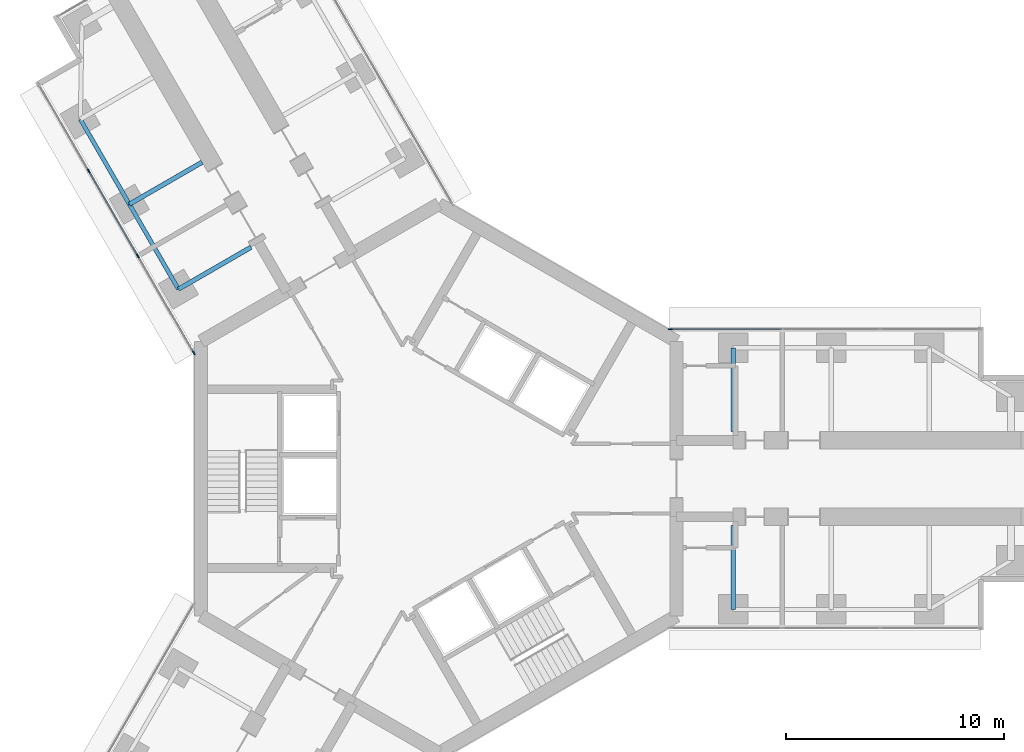
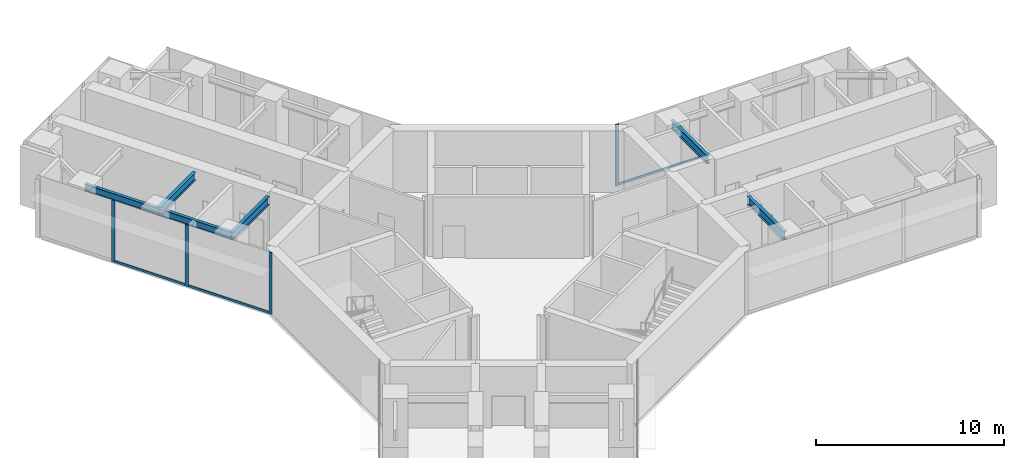
# One storey, part 5 of 21: 7 members, 6 beams, 2 elements without a shape of their own.
"""IFC4 building model written with IfcOpenShell, lengths in metres."""

from ifc_helpers import new_model, si_unit, direction, frame, origin, origin_2d, place, context, subcontext, project, spatial, rectangle, i_section, extrude, material, material_profile, profile_set, type_object, element, aggregate, save


model = new_model("IFC4")

# Units and contexts
model_context = context("Model", 3, precision=1e-05, world=origin(), true_north=direction((0.0, 1.0)))
body_context = subcontext(model_context, "Body", "Model", "MODEL_VIEW")
ifc_project = project(units=[si_unit("LENGTHUNIT", "METRE"), si_unit("AREAUNIT", "SQUARE_METRE"), si_unit("VOLUMEUNIT", "CUBIC_METRE"), si_unit("PLANEANGLEUNIT", "RADIAN"), si_unit("MASSUNIT", "GRAM", prefix="KILO")], contexts=[model_context])

# Site, building, storey
site_placement = place(None, origin())
site = spatial("IfcSite", under=ifc_project, at=site_placement, CompositionType="ELEMENT")
building_placement = place(site_placement, origin())
building = spatial("IfcBuilding", under=site, at=building_placement, Name="Upepo Twin Towers", CompositionType="ELEMENT")
storey_placement = place(building_placement, frame((0.0, 0.0, 109.5)))
storey = spatial("IfcBuildingStorey", under=building, at=storey_placement, Name="L26", CompositionType="ELEMENT", Elevation=109.5)

# Beams
ifc_material_1 = material(Name="Steel S355", Category="steel")
ifc_material_profile_1 = material_profile(ifc_material_1, i_section(OverallWidth=0.1904296875, OverallDepth=0.45703125, WebThickness=0.009033203125, FlangeThickness=0.014404296875, FilletRadius=0.01025390625, at=origin_2d()), Name="UB 457x191x74")
ifc_profile_set_1 = profile_set([ifc_material_profile_1], Name="Steel S355")
beam_type_1 = type_object("IfcBeamType", Name="Beam UB 457x191x74", PredefinedType="BEAM", material=ifc_profile_set_1)
beam_1_placement = place(storey_placement, frame((-11.946044921875, 8.69140625, 3.571533203125), z_axis=(-0.500013631625, 0.866017533419, 0.0), x_axis=(-0.866017533419, -0.500013631625, 0.0)))
element("IfcBeam", 1, at=beam_1_placement, inside=storey, type_object=beam_type_1, Name="T1 edge beam BL 13.5-18.0", PredefinedType="BEAM", context=body_context, shape_type="SweptSolid", body=[
    extrude(i_section(OverallWidth=0.1904296875, OverallDepth=0.45703125, WebThickness=0.009033203125, FlangeThickness=0.014404296875, FilletRadius=0.01025390625, at=origin_2d()), origin(), (0.0, 0.0, 1.0), 4.499755859375),
])
beam_2_placement = place(storey_placement, frame((-14.196044921875, 12.58837890625, 3.571533203125), z_axis=(-0.499990139034, 0.866031096941, 0.0), x_axis=(-0.866031096941, -0.499990139034, 0.0)))
element("IfcBeam", 2, at=beam_2_placement, inside=storey, type_object=beam_type_1, Name="T1 edge beam BL 18.0-22.5", PredefinedType="BEAM", context=body_context, shape_type="SweptSolid", body=[
    extrude(i_section(OverallWidth=0.1904296875, OverallDepth=0.45703125, WebThickness=0.009033203125, FlangeThickness=0.014404296875, FilletRadius=0.01025390625, at=origin_2d()), origin(), (0.0, 0.0, 1.0), 4.5),
])
ifc_material_2 = material(Name="Steel S355", Category="steel")
ifc_material_profile_2 = material_profile(ifc_material_2, i_section(OverallWidth=0.209228515625, OverallDepth=0.533203125, WebThickness=0.010009765625, FlangeThickness=0.015625, FilletRadius=0.0126953125, at=origin_2d()), Name="UB 533x210x92")
ifc_profile_set_2 = profile_set([ifc_material_profile_2], Name="Steel S355")
beam_type_2 = type_object("IfcBeamType", Name="Beam UB 533x210x92", PredefinedType="BEAM", material=ifc_profile_set_2)
for number, where, z_axis, x_axis, name in (
    (3, (13.5, 6.0, 3.533447265625), (0.0, -1.0, 0.0), (1.0, 0.0, 0.0), "T1 girder AL at 13.5"),
    (4, (13.5, -6.0, 3.533447265625), (0.0, 1.0, 0.0), (-1.0, 0.0, 0.0), "T1 girder AR at 13.5"),
):
    element("IfcBeam", number, at=place(storey_placement, frame(where, z_axis=z_axis, x_axis=x_axis)), inside=storey, type_object=beam_type_2, Name=name, PredefinedType="BEAM", context=body_context, shape_type="SweptSolid", body=[
        extrude(i_section(OverallWidth=0.209228515625, OverallDepth=0.533203125, WebThickness=0.010009765625, FlangeThickness=0.015625, FilletRadius=0.0126953125, at=origin_2d()), origin(), (0.0, 0.0, 1.0), 3.85009765625),
    ])
for number, where, z_axis, x_axis, name in (
    (5, (-11.946044921875, 8.69140625, 3.533447265625), (0.866006051527, 0.500033517596, 0.0), (-0.500033517596, 0.866006051527, 0.0), "T1 girder BL at 13.5"),
    (6, (-14.196044921875, 12.58837890625, 3.533447265625), (0.866006051527, 0.500033517596, 0.0), (-0.500033517596, 0.866006051527, 0.0), "T1 girder BL at 18.0"),
):
    element("IfcBeam", number, at=place(storey_placement, frame(where, z_axis=z_axis, x_axis=x_axis)), inside=storey, type_object=beam_type_2, Name=name, PredefinedType="BEAM", context=body_context, shape_type="SweptSolid", body=[
        extrude(i_section(OverallWidth=0.209228515625, OverallDepth=0.533203125, WebThickness=0.010009765625, FlangeThickness=0.015625, FilletRadius=0.0126953125, at=origin_2d()), origin(), (0.0, 0.0, 1.0), 3.849853515625),
    ])

# Curtain wall, member
ifc_material_3 = material(Name="Aluminium and fritted glass", Category="aluminium")
curtain_wall_type = type_object("IfcCurtainWallType", Name="Tower curtain wall TW2, fritted glass", PredefinedType="NOTDEFINED", material=ifc_material_3)
curtain_wall_1_placement = place(storey_placement, origin())
curtain_wall_1 = element("IfcCurtainWall", 7, at=curtain_wall_1_placement, inside=storey, type_object=curtain_wall_type, Name="T1 L26 wing A flank L curtain wall", PredefinedType="NOTDEFINED")
ifc_material_4 = material(Name="Aluminium mullion", Category="aluminium")
ifc_material_profile_3 = material_profile(ifc_material_4, rectangle(XDim=0.06494140625, YDim=0.199951171875, at=origin_2d()), Name="MULLION 65x200")
ifc_profile_set_3 = profile_set([ifc_material_profile_3], Name="Aluminium mullion")
member_type_1 = type_object("IfcMemberType", Name="Mullion 65x200 TW2", PredefinedType="MULLION", material=ifc_profile_set_3)
member_1_placement = place(storey_placement, frame((10.61962890625, 6.85009765625, 0.0), z_axis=(0.0, 0.0, 1.0), x_axis=(0.0, 1.0, 0.0)))
member_1 = element("IfcMember", 8, at=member_1_placement, type_object=member_type_1, Name="T1 L26 wing A flank L curtain wall mullion 1", PredefinedType="MULLION", context=body_context, shape_type="SweptSolid", body=[
    extrude(rectangle(XDim=0.06494140625, YDim=0.199951171875, at=origin_2d()), origin(), (0.0, 0.0, 1.0), 4.0),
])

# Curtain wall, members
curtain_wall_2_placement = place(storey_placement, origin())
curtain_wall_2 = element("IfcCurtainWall", 9, at=curtain_wall_2_placement, inside=storey, type_object=curtain_wall_type, Name="T1 L26 wing B flank L curtain wall", PredefinedType="NOTDEFINED")
member_2_placement = place(storey_placement, frame((-11.2421875, 5.77197265625, 0.0), z_axis=(0.0, 0.0, 1.0), x_axis=(-0.866025397833, -0.500000010308, 0.0)))
member_2 = element("IfcMember", 10, at=member_2_placement, type_object=member_type_1, Name="T1 L26 wing B flank L curtain wall mullion 1", PredefinedType="MULLION", context=body_context, shape_type="SweptSolid", body=[
    extrude(rectangle(XDim=0.06494140625, YDim=0.199951171875, at=origin_2d()), origin(), (0.0, 0.0, 1.0), 4.0),
])
member_3_placement = place(storey_placement, frame((-13.807373046875, 10.21484375, 0.0), z_axis=(0.0, 0.0, 1.0), x_axis=(-0.866025397833, -0.500000010308, 0.0)))
member_3 = element("IfcMember", 11, at=member_3_placement, type_object=member_type_1, Name="T1 L26 wing B flank L curtain wall mullion 2", PredefinedType="MULLION", context=body_context, shape_type="SweptSolid", body=[
    extrude(rectangle(XDim=0.06494140625, YDim=0.199951171875, at=origin_2d()), origin(), (0.0, 0.0, 1.0), 4.0),
])
member_4_placement = place(storey_placement, frame((-16.057373046875, 14.112060546875, 0.0), z_axis=(0.0, 0.0, 1.0), x_axis=(-0.866025397833, -0.500000010308, 0.0)))
member_4 = element("IfcMember", 12, at=member_4_placement, type_object=member_type_1, Name="T1 L26 wing B flank L curtain wall mullion 3", PredefinedType="MULLION", context=body_context, shape_type="SweptSolid", body=[
    extrude(rectangle(XDim=0.06494140625, YDim=0.199951171875, at=origin_2d()), origin(), (0.0, 0.0, 1.0), 4.0),
])

# Member
ifc_material_5 = material(Name="Aluminium transom", Category="aluminium")
ifc_material_profile_4 = material_profile(ifc_material_5, rectangle(XDim=0.06494140625, YDim=0.14990234375, at=origin_2d()), Name="TRANSOM 65x150")
ifc_profile_set_4 = profile_set([ifc_material_profile_4], Name="Aluminium transom")
member_type_2 = type_object("IfcMemberType", Name="Transom 65x150 TW2", PredefinedType="USERDEFINED", material=ifc_profile_set_4)
member_5_placement = place(storey_placement, frame((10.652099609375, 6.85009765625, 0.074951171875), z_axis=(1.0, 0.0, 0.0), x_axis=(0.0, 1.0, 0.0)))
member_5 = element("IfcMember", 13, at=member_5_placement, type_object=member_type_2, Name="T1 L26 wing A flank L curtain wall transom 1", ObjectType="TRANSOM", PredefinedType="USERDEFINED", context=body_context, shape_type="SweptSolid", body=[
    extrude(rectangle(XDim=0.06494140625, YDim=0.14990234375, at=origin_2d()), origin(), (0.0, 0.0, 1.0), 5.0654296875),
])

aggregate(curtain_wall_1, [member_1, member_5])

member_6_placement = place(storey_placement, frame((-11.25830078125, 5.800048828125, 0.074951171875), z_axis=(-0.500006158363, 0.866021848223, 0.0), x_axis=(-0.866021848223, -0.500006158363, 0.0)))
member_6 = element("IfcMember", 14, at=member_6_placement, type_object=member_type_2, Name="T1 L26 wing B flank L curtain wall transom 1", ObjectType="TRANSOM", PredefinedType="USERDEFINED", context=body_context, shape_type="SweptSolid", body=[
    extrude(rectangle(XDim=0.06494140625, YDim=0.14990234375, at=origin_2d()), origin(), (0.0, 0.0, 1.0), 5.0654296875),
])

member_7_placement = place(storey_placement, frame((-13.823486328125, 10.2431640625, 0.074951171875), z_axis=(-0.500005184116, 0.866022410713, 0.0), x_axis=(-0.866022410713, -0.500005184116, 0.0)))
member_7 = element("IfcMember", 15, at=member_7_placement, type_object=member_type_2, Name="T1 L26 wing B flank L curtain wall transom 2", ObjectType="TRANSOM", PredefinedType="USERDEFINED", context=body_context, shape_type="SweptSolid", body=[
    extrude(rectangle(XDim=0.06494140625, YDim=0.14990234375, at=origin_2d()), origin(), (0.0, 0.0, 1.0), 4.43505859375),
])

aggregate(curtain_wall_2, [member_2, member_3, member_4, member_6, member_7])

save(model, "model.ifc")
